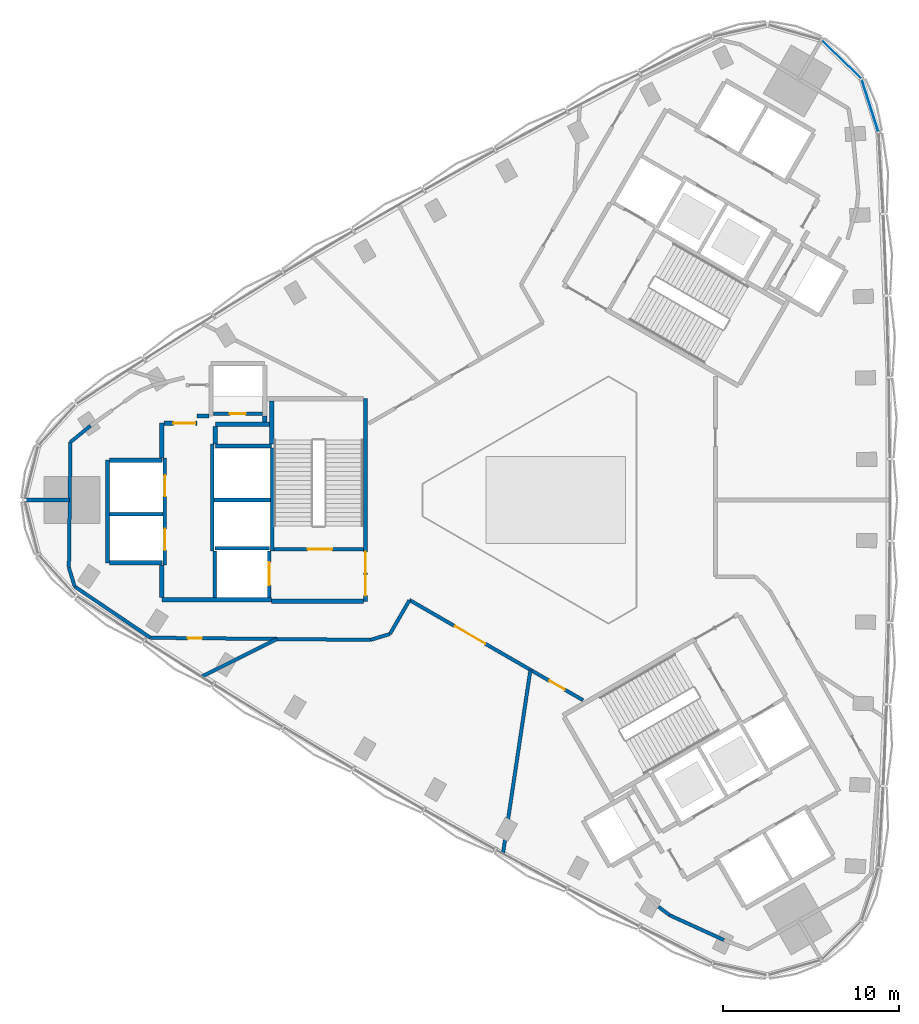
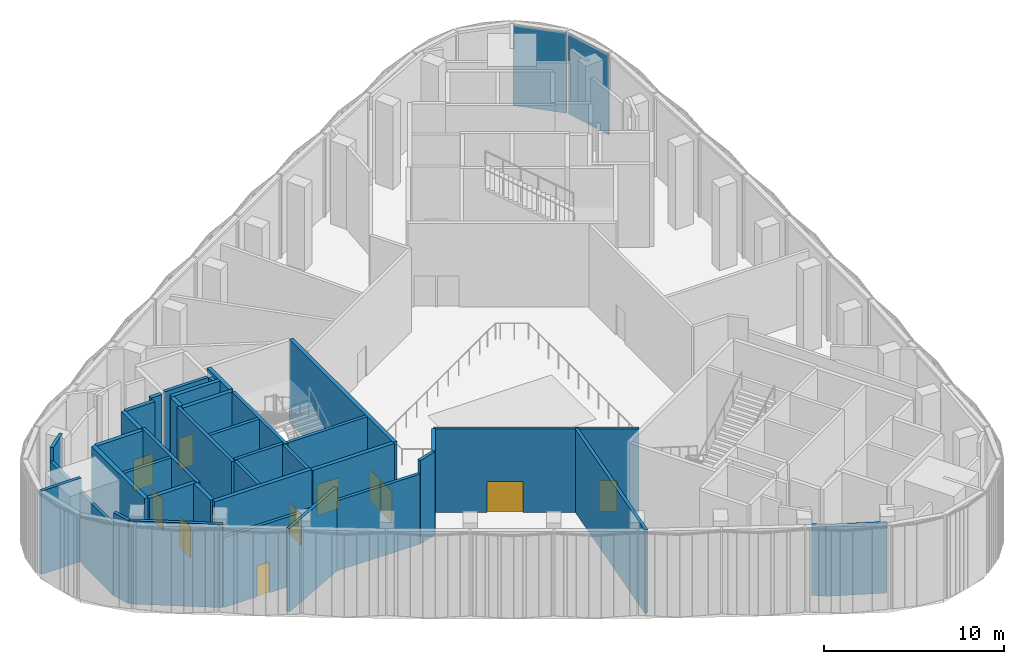
# One storey, part 5 of 14: 38 walls, 11 doors, 2 plates, 11 openings, 1 element without a shape of its own.
"""IFC4 building model written with IfcOpenShell, lengths in metres."""

import ifcopenshell
import ifcopenshell.guid

model = None  # the IFC model being written
_history = None  # IfcOwnerHistory: only IFC2X3 demands one
_inside = {}  # id of a spatial element -> (the spatial element, [elements in it])
_under = {}  # id of a project, library or spatial element -> (it, [spatial elements below it])
_declared = {}  # id of a project -> (the project, [libraries it declares])
_typed = {}  # id of a type object -> (the type object, [elements of that type])
_made_of = {}  # id of a material, layer set ... -> (it, [elements and type objects made of it])


def new_model(schema):
    """Start an empty IFC model of exactly this schema.

    Asked for "IFC4X3", IfcOpenShell would pick the latest addendum, in which some entities
    have other attributes; the version numbers below select the first issue.
    IFC2X3 requires an IfcOwnerHistory on every rooted entity: one is made here for all.
    """
    global model, _history
    if schema == "IFC4X3":
        model = ifcopenshell.file(schema_version=(4, 3, 0, 0))
    else:
        model = ifcopenshell.file(schema=schema)
    _inside.clear()
    _under.clear()
    _declared.clear()
    _typed.clear()
    _made_of.clear()
    _history = None
    if model.schema == "IFC2X3":
        org = make("IfcOrganization", Name="unknown")
        user = make(
            "IfcPersonAndOrganization",
            ThePerson=make("IfcPerson", FamilyName="unknown"),
            TheOrganization=org,
        )
        app = make(
            "IfcApplication",
            ApplicationDeveloper=org,
            Version="unknown",
            ApplicationFullName="unknown",
            ApplicationIdentifier="unknown",
        )
        _history = make(
            "IfcOwnerHistory",
            OwningUser=user,
            OwningApplication=app,
            ChangeAction="ADDED",
            CreationDate=0,
        )
    return model


def make(cls, **values):
    """One entity of the class cls with the attributes given. An attribute that is None is left unset."""
    return model.create_entity(
        cls, **{name: value for name, value in values.items() if value is not None}
    )


def rooted(cls, **values):
    """An entity with a GlobalId (a new one), such as an element, a storey or a relation."""
    return make(cls, GlobalId=ifcopenshell.guid.new(), OwnerHistory=_history, **values)


def si_unit(unit_type, name, prefix=None):
    """IfcSIUnit, for example si_unit("LENGTHUNIT", "METRE", prefix="MILLI")."""
    return make("IfcSIUnit", UnitType=unit_type, Prefix=prefix, Name=name)


def assignment(units):
    """IfcUnitAssignment: the units of a project."""
    return None if units is None else make("IfcUnitAssignment", Units=units)


def point(xyz):
    """IfcCartesianPoint."""
    return None if xyz is None else make("IfcCartesianPoint", Coordinates=xyz)


def direction(xyz):
    """IfcDirection."""
    return None if xyz is None else make("IfcDirection", DirectionRatios=xyz)


def frame(location, z_axis=None, x_axis=None):
    """IfcAxis2Placement3D, a coordinate frame: its origin and axes. An axis left out is left unset."""
    return make(
        "IfcAxis2Placement3D",
        Location=point(location),
        Axis=direction(z_axis),
        RefDirection=direction(x_axis),
    )


def frame_2d(location, x_axis=None):
    """IfcAxis2Placement2D, a coordinate frame in the plane: its origin and x axis."""
    return make(
        "IfcAxis2Placement2D", Location=point(location), RefDirection=direction(x_axis)
    )


def origin():
    """The frame at (0, 0, 0) with its axes left unset."""
    return frame((0.0, 0.0, 0.0))


def origin_2d():
    """The frame at (0, 0) in the plane with its x axis left unset."""
    return frame_2d((0.0, 0.0))


def place(relative_to, where):
    """IfcLocalPlacement: puts the frame where relative to a parent placement (None: the world)."""
    return make(
        "IfcLocalPlacement", PlacementRelTo=relative_to, RelativePlacement=where
    )


def context(
    kind, dimensions, precision=None, world=None, true_north=None, identifier=None
):
    """IfcGeometricRepresentationContext, for example the 3D "Model" context."""
    return make(
        "IfcGeometricRepresentationContext",
        ContextIdentifier=identifier,
        ContextType=kind,
        CoordinateSpaceDimension=dimensions,
        Precision=precision,
        WorldCoordinateSystem=world,
        TrueNorth=true_north,
    )


def subcontext(parent, identifier, kind, view, scale=None):
    """IfcGeometricRepresentationSubContext, for example "Body" below "Model"."""
    return make(
        "IfcGeometricRepresentationSubContext",
        ContextIdentifier=identifier,
        ContextType=kind,
        ParentContext=parent,
        TargetScale=scale,
        TargetView=view,
    )


def project(units=None, contexts=None):
    """IfcProject with its units and contexts."""
    return rooted(
        "IfcProject",
        Name="project",
        RepresentationContexts=contexts,
        UnitsInContext=assignment(units),
    )


def spatial(cls, under=None, at=None, **own):
    """A site, building, storey or space (cls), placed at a placement, below another one or the project."""
    s = rooted(cls, ObjectPlacement=at, **own)
    if under is not None:
        _under.setdefault(under.id(), (under, []))[1].append(s)
    return s


def profile(cls, at=None, kind="AREA", **sizes):
    """A parametric profile (cls). Its sizes go by their IFC names, for example OverallWidth=200.0."""
    return make(cls, ProfileType=kind, Position=at, **sizes)


def rectangle(**sizes):
    """IfcRectangleProfileDef."""
    return profile("IfcRectangleProfileDef", **sizes)


def extrude(swept, where, along, depth):
    """IfcExtrudedAreaSolid: the profile swept, set in the frame where, extruded along a direction by depth."""
    return make(
        "IfcExtrudedAreaSolid",
        SweptArea=swept,
        Position=where,
        ExtrudedDirection=direction(along),
        Depth=depth,
    )


def shape(context_of_items, identifier, shape_type, items):
    """IfcShapeRepresentation: the items that make up one representation, for example the "Body"."""
    return make(
        "IfcShapeRepresentation",
        ContextOfItems=context_of_items,
        RepresentationIdentifier=identifier,
        RepresentationType=shape_type,
        Items=items,
    )


def material(Name=None, Category=None):
    """IfcMaterial."""
    return make("IfcMaterial", Name=Name, Category=Category)


def layer(
    of_material, thickness, ventilated=None, Name=None, Category=None, Priority=None
):
    """IfcMaterialLayer: one layer of a wall or slab, of a material (None: an air gap)."""
    return make(
        "IfcMaterialLayer",
        Material=of_material,
        LayerThickness=thickness,
        IsVentilated=ventilated,
        Name=Name,
        Category=Category,
        Priority=Priority,
    )


def layer_set(layers, Name=None):
    """IfcMaterialLayerSet."""
    return make("IfcMaterialLayerSet", MaterialLayers=layers, LayerSetName=Name)


def made_of(thing, what):
    """Note that an element or type object is made of a material, layer set ...; save() writes the relation."""
    if what is not None:
        _made_of.setdefault(what.id(), (what, []))[1].append(thing)
    return thing


def type_object(cls, material=None, **own):
    """A type object (cls), such as IfcWallType, which elements share."""
    return made_of(rooted(cls, **own), material)


def element(
    cls,
    number,
    at=None,
    inside=None,
    cuts=None,
    type_object=None,
    material=None,
    context=None,
    identifier="Body",
    shape_type=None,
    held_by="IfcProductDefinitionShape",
    body=None,
    shapes=None,
    **own,
):
    """One element of the class cls, such as IfcWall. Its Tag is "e" and its number.

    at: its placement. inside: the storey or other place that contains it. cuts: it is an
    opening in that element (IfcRelVoidsElement). A single representation is given by context,
    identifier, shape_type and body (its items); several are given by shapes. held_by: the class
    of the entity that holds the representations. save() writes the other relations.
    """
    e = rooted(cls, Tag="e%d" % number, ObjectPlacement=at, **own)
    if body is not None:
        shapes = [shape(context, identifier, shape_type, body)]
    if shapes is not None:
        e.Representation = make(held_by, Representations=shapes)
    if inside is not None:
        _inside.setdefault(inside.id(), (inside, []))[1].append(e)
    if cuts is not None:
        rooted(
            "IfcRelVoidsElement", RelatingBuildingElement=cuts, RelatedOpeningElement=e
        )
    if type_object is not None:
        _typed.setdefault(type_object.id(), (type_object, []))[1].append(e)
    return made_of(e, material)


def fill(opening, filler):
    """IfcRelFillsElement: the door or window that sits in an opening."""
    return rooted(
        "IfcRelFillsElement",
        RelatingOpeningElement=opening,
        RelatedBuildingElement=filler,
    )


def aggregate(whole, parts):
    """IfcRelAggregates: a whole, such as a stair, and the parts it consists of."""
    return rooted("IfcRelAggregates", RelatingObject=whole, RelatedObjects=parts)


def save(model, path):
    """Write the relations noted so far, then the file.

    IfcRelAggregates (storeys below a building ...), IfcRelContainedInSpatialStructure (elements
    in a storey), IfcRelDefinesByType, IfcRelAssociatesMaterial and IfcRelDeclares: one each for
    every whole, place, type object, material and project.
    """
    for whole, parts in _under.values():
        aggregate(whole, parts)
    for where, things in _inside.values():
        rooted(
            "IfcRelContainedInSpatialStructure",
            RelatedElements=things,
            RelatingStructure=where,
        )
    for kind, things in _typed.values():
        rooted("IfcRelDefinesByType", RelatedObjects=things, RelatingType=kind)
    for what, things in _made_of.values():
        rooted("IfcRelAssociatesMaterial", RelatedObjects=things, RelatingMaterial=what)
    for by, libraries in _declared.values():
        rooted("IfcRelDeclares", RelatingContext=by, RelatedDefinitions=libraries)
    model.write(path)


model = new_model("IFC4")

# Units and contexts
model_context = context("Model", 3, precision=1e-05, world=origin(), true_north=direction((0.0, 1.0)))
body_context = subcontext(model_context, "Body", "Model", "MODEL_VIEW")
ifc_project = project(units=[si_unit("LENGTHUNIT", "METRE"), si_unit("AREAUNIT", "SQUARE_METRE"), si_unit("VOLUMEUNIT", "CUBIC_METRE"), si_unit("PLANEANGLEUNIT", "RADIAN"), si_unit("MASSUNIT", "GRAM", prefix="KILO")], contexts=[model_context])

# Site, building, storey
site_placement = place(None, origin())
site = spatial("IfcSite", under=ifc_project, at=site_placement, CompositionType="ELEMENT")
building_placement = place(site_placement, origin())
building = spatial("IfcBuilding", under=site, at=building_placement, Name="Tamra Quay Hotel Tower", CompositionType="ELEMENT")
storey_placement = place(building_placement, frame((0.0, 0.0, 169.60009765625)))
storey = spatial("IfcBuildingStorey", under=building, at=storey_placement, Name="L42", CompositionType="ELEMENT", Elevation=169.60009765625)

# Curtain wall, plates
ifc_material_1 = material(Name="Aluminium 6063 anodised dark grey", Category="aluminium")
curtain_wall_type = type_object("IfcCurtainWallType", Name="CW5 CURTAIN WALL", PredefinedType="NOTDEFINED", material=ifc_material_1)
curtain_wall_placement = place(storey_placement, origin())
curtain_wall = element("IfcCurtainWall", 1, at=curtain_wall_placement, inside=storey, type_object=curtain_wall_type, Name="CW5 east face L42", PredefinedType="NOTDEFINED")
ifc_material_2 = material(Name="Glass clear laminated low-iron", Category="glass")
ifc_layer_1 = layer(ifc_material_2, 0.0400390625)
ifc_layer_set_1 = layer_set([ifc_layer_1], Name="GLASS PANEL CW5")
plate_type = type_object("IfcPlateType", Name="GLASS PANEL CW5", PredefinedType="CURTAIN_PANEL", material=ifc_layer_set_1)
plate_1_placement = place(storey_placement, frame((17.9072265625, 22.4599609375, 0.0), z_axis=(0.0, 0.0, 1.0), x_axis=(-0.303410479682, 0.952859948166, 0.0)))
plate_1 = element("IfcPlate", 2, at=plate_1_placement, type_object=plate_type, Name="CW5 glass L42.E.10", PredefinedType="CURTAIN_PANEL", context=body_context, shape_type="SweptSolid", body=[
    extrude(rectangle(XDim=3.07421875, YDim=0.0400390625, at=origin_2d()), origin(), (0.0, 0.0, 1.0), 5.469970703125),
])
plate_2_placement = place(storey_placement, frame((16.276123046875, 25.09326171875, 0.0), z_axis=(0.0, 0.0, 1.0), x_axis=(-0.717974699393, 0.696069199888, 0.0)))
plate_2 = element("IfcPlate", 3, at=plate_2_placement, type_object=plate_type, Name="CW5 glass L42.E.11", PredefinedType="CURTAIN_PANEL", context=body_context, shape_type="SweptSolid", body=[
    extrude(rectangle(XDim=3.07421875, YDim=0.0400390625, at=origin_2d()), origin(), (0.0, 0.0, 1.0), 5.469970703125),
])
aggregate(curtain_wall, [plate_1, plate_2])

# Walls
ifc_material_3 = material(Name="Concrete M70", Category="concrete")
ifc_layer_2 = layer(ifc_material_3, 0.199951171875)
ifc_layer_set_2 = layer_set([ifc_layer_2], Name="Concrete M70 core wall 200")
wall_type_1 = type_object("IfcWallType", Name="Concrete M70 core wall 200", PredefinedType="SHEAR", material=ifc_layer_set_2)
wall_1_placement = place(storey_placement, frame((-16.162109375, 2.95068359375, 0.0), z_axis=(0.0, 0.0, 1.0), x_axis=(0.0, -1.0, 0.0)))
element("IfcWall", 4, at=wall_1_placement, inside=storey, type_object=wall_type_1, Name="CW2", PredefinedType="SHEAR", context=body_context, shape_type="SweptSolid", body=[
    extrude(rectangle(XDim=5.850830078125, YDim=0.199951171875, at=frame_2d((2.92529296875, 0.0))), origin(), (0.0, 0.0, 1.0), 5.64990234375),
])
wall_2_placement = place(storey_placement, frame((-19.5625, -2.900146484375, 0.0), z_axis=(0.0, 0.0, 1.0), x_axis=(0.0, 1.0, 0.0)))
element("IfcWall", 5, at=wall_2_placement, inside=storey, type_object=wall_type_1, Name="CW2", PredefinedType="SHEAR", context=body_context, shape_type="SweptSolid", body=[
    extrude(rectangle(XDim=6.100341796875, YDim=0.199951171875, at=frame_2d((3.05029296875, 0.0))), origin(), (0.0, 0.0, 1.0), 5.64990234375),
])

# Wall, openings, doors
wall_3_placement = place(storey_placement, frame((-22.26220703125, 2.400146484375, 0.0), z_axis=(0.0, 0.0, 1.0), x_axis=(0.0, -1.0, 0.0)))
wall_3 = element("IfcWall", 6, at=wall_3_placement, inside=storey, type_object=wall_type_1, Name="CW2", PredefinedType="SHEAR", context=body_context, shape_type="SweptSolid", body=[
    extrude(rectangle(XDim=6.100341796875, YDim=0.199951171875, at=frame_2d((3.05029296875, 0.0))), origin(), (0.0, 0.0, 1.0), 5.64990234375),
])
opening_1_placement = place(wall_3_placement, frame((1.0, 0.0, 0.0)))
opening_1 = element("IfcOpeningElement", 7, at=opening_1_placement, cuts=wall_3, Name="Opening LD", PredefinedType="OPENING", context=body_context, shape_type="SweptSolid", body=[
    extrude(rectangle(XDim=1.199951171875, YDim=2.10009765625, at=frame_2d((0.60009765625, 1.050048828125))), frame((0.0, 0.10986328125, 0.0), z_axis=(0.0, -1.0, 0.0), x_axis=(1.0, 0.0, 0.0)), (0.0, 0.0, 1.0), 0.219970703125),
])
opening_2_placement = place(wall_3_placement, frame((4.05029296875, 0.0, 0.0)))
opening_2 = element("IfcOpeningElement", 8, at=opening_2_placement, cuts=wall_3, Name="Opening LD", PredefinedType="OPENING", context=body_context, shape_type="SweptSolid", body=[
    extrude(rectangle(XDim=1.199951171875, YDim=2.10009765625, at=frame_2d((0.60009765625, 1.050048828125))), frame((0.0, 0.10986328125, 0.0), z_axis=(0.0, -1.0, 0.0), x_axis=(1.0, 0.0, 0.0)), (0.0, 0.0, 1.0), 0.219970703125),
])
ifc_material_4 = material(Name="Landing door LD 1200 double door sliding")
door_type_1 = type_object("IfcDoorType", Name="Landing door LD 1200 double door sliding", OperationType="DOUBLE_DOOR_SLIDING", PredefinedType="DOOR", material=ifc_material_4)
door_1_placement = place(opening_1_placement, origin())
door_1 = element("IfcDoor", 9, at=door_1_placement, inside=storey, type_object=door_type_1, Name="LD", OperationType="DOUBLE_DOOR_SLIDING", OverallHeight=2.10009765625, OverallWidth=1.199951171875, PredefinedType="DOOR", context=body_context, shape_type="SweptSolid", body=[
    extrude(rectangle(XDim=1.199951171875, YDim=2.10009765625, at=frame_2d((0.60009765625, 1.050048828125))), frame((0.0, 0.02490234375, 0.0), z_axis=(0.0, -1.0, 0.0), x_axis=(1.0, 0.0, 0.0)), (0.0, 0.0, 1.0), 0.050048828125),
])
fill(opening_1, door_1)
door_2_placement = place(opening_2_placement, origin())
door_2 = element("IfcDoor", 10, at=door_2_placement, inside=storey, type_object=door_type_1, Name="LD", OperationType="DOUBLE_DOOR_SLIDING", OverallHeight=2.10009765625, OverallWidth=1.199951171875, PredefinedType="DOOR", context=body_context, shape_type="SweptSolid", body=[
    extrude(rectangle(XDim=1.199951171875, YDim=2.10009765625, at=frame_2d((0.60009765625, 1.050048828125))), frame((0.0, 0.02490234375, 0.0), z_axis=(0.0, -1.0, 0.0), x_axis=(1.0, 0.0, 0.0)), (0.0, 0.0, 1.0), 0.050048828125),
])
fill(opening_2, door_2)

# Wall, opening, door
wall_4_placement = place(storey_placement, frame((-10.96337890625, -2.800048828125, 0.0), z_axis=(0.0, 0.0, 1.0), x_axis=(-1.0, 0.0, 0.0)))
wall_4 = element("IfcWall", 11, at=wall_4_placement, inside=storey, type_object=wall_type_1, Name="CW2", PredefinedType="SHEAR", context=body_context, shape_type="SweptSolid", body=[
    extrude(rectangle(XDim=5.097900390625, YDim=0.199951171875, at=frame_2d((2.548828125, 0.0))), origin(), (0.0, 0.0, 1.0), 5.64990234375),
])
opening_3_placement = place(wall_4_placement, frame((1.77392578125, 0.0, 0.0)))
opening_3 = element("IfcOpeningElement", 12, at=opening_3_placement, cuts=wall_4, Name="Opening FD2", PredefinedType="OPENING", context=body_context, shape_type="SweptSolid", body=[
    extrude(rectangle(XDim=1.39990234375, YDim=2.10009765625, at=frame_2d((0.699951171875, 1.050048828125))), frame((0.0, 0.10986328125, 0.0), z_axis=(0.0, -1.0, 0.0), x_axis=(1.0, 0.0, 0.0)), (0.0, 0.0, 1.0), 0.219970703125),
])
ifc_material_5 = material(Name="Core door FD2 1400x2100 LH")
door_type_2 = type_object("IfcDoorType", Name="Core door FD2 1400x2100 LH", OperationType="NOTDEFINED", PredefinedType="DOOR", material=ifc_material_5)
door_3_placement = place(opening_3_placement, origin())
door_3 = element("IfcDoor", 13, at=door_3_placement, inside=storey, type_object=door_type_2, Name="FD2", OperationType="SINGLE_SWING_LEFT", OverallHeight=2.10009765625, OverallWidth=1.39990234375, PredefinedType="DOOR", context=body_context, shape_type="SweptSolid", body=[
    extrude(rectangle(XDim=1.39990234375, YDim=2.10009765625, at=frame_2d((0.699951171875, 1.050048828125))), frame((0.0, 0.02490234375, 0.0), z_axis=(0.0, -1.0, 0.0), x_axis=(1.0, 0.0, 0.0)), (0.0, 0.0, 1.0), 0.050048828125),
])
fill(opening_3, door_3)

# Walls
wall_5_placement = place(storey_placement, frame((-16.26318359375, 0.0, 0.0), z_axis=(0.0, 0.0, 1.0), x_axis=(-1.0, 0.0, 0.0)))
element("IfcWall", 14, at=wall_5_placement, inside=storey, type_object=wall_type_1, Name="CW2", PredefinedType="SHEAR", context=body_context, shape_type="SweptSolid", body=[
    extrude(rectangle(XDim=3.1982421875, YDim=0.199951171875, at=frame_2d((1.59912109375, 0.0))), origin(), (0.0, 0.0, 1.0), 5.64990234375),
])
wall_6_placement = place(storey_placement, frame((-22.36328125, -0.800048828125, 0.0), z_axis=(0.0, 0.0, 1.0), x_axis=(-1.0, 0.0, 0.0)))
element("IfcWall", 15, at=wall_6_placement, inside=storey, type_object=wall_type_1, Name="CW2", PredefinedType="SHEAR", context=body_context, shape_type="SweptSolid", body=[
    extrude(rectangle(XDim=3.048095703125, YDim=0.199951171875, at=frame_2d((1.52392578125, 0.0))), origin(), (0.0, 0.0, 1.0), 5.64990234375),
])

# Wall, opening, door
wall_7_placement = place(storey_placement, frame((-19.51123046875, 4.91015625, 0.0), z_axis=(0.0, 0.0, 1.0), x_axis=(1.0, 0.0, 0.0)))
wall_7 = element("IfcWall", 16, at=wall_7_placement, inside=storey, type_object=wall_type_1, Name="CW2", PredefinedType="SHEAR", context=body_context, shape_type="SweptSolid", body=[
    extrude(rectangle(XDim=2.7978515625, YDim=0.199951171875, at=frame_2d((1.39892578125, 0.0))), origin(), (0.0, 0.0, 1.0), 5.64990234375),
])
opening_4_placement = place(wall_7_placement, frame((0.948974609375, 0.0, 0.0)))
opening_4 = element("IfcOpeningElement", 17, at=opening_4_placement, cuts=wall_7, Name="Opening D1", PredefinedType="OPENING", context=body_context, shape_type="SweptSolid", body=[
    extrude(rectangle(XDim=0.89990234375, YDim=2.10009765625, at=frame_2d((0.449951171875, 1.050048828125))), frame((0.0, 0.10986328125, 0.0), z_axis=(0.0, -1.0, 0.0), x_axis=(1.0, 0.0, 0.0)), (0.0, 0.0, 1.0), 0.219970703125),
])
ifc_material_6 = material(Name="Core door D1 900x2100 RH")
door_type_3 = type_object("IfcDoorType", Name="Core door D1 900x2100 RH", OperationType="NOTDEFINED", PredefinedType="DOOR", material=ifc_material_6)
door_4_placement = place(opening_4_placement, origin())
door_4 = element("IfcDoor", 18, at=door_4_placement, inside=storey, type_object=door_type_3, Name="D1", OperationType="SINGLE_SWING_RIGHT", OverallHeight=2.10009765625, OverallWidth=0.89990234375, PredefinedType="DOOR", context=body_context, shape_type="SweptSolid", body=[
    extrude(rectangle(XDim=0.89990234375, YDim=2.10009765625, at=frame_2d((0.449951171875, 1.050048828125))), frame((0.0, 0.02490234375, 0.0), z_axis=(0.0, -1.0, 0.0), x_axis=(1.0, 0.0, 0.0)), (0.0, 0.0, 1.0), 0.050048828125),
])
fill(opening_4, door_4)

# Wall
wall_8_placement = place(storey_placement, frame((-19.412353515625, -2.75, 0.0), z_axis=(0.0, 0.0, 1.0), x_axis=(1.0, 0.0, 0.0)))
element("IfcWall", 19, at=wall_8_placement, inside=storey, type_object=wall_type_1, Name="CW2", PredefinedType="SHEAR", context=body_context, shape_type="SweptSolid", body=[
    extrude(rectangle(XDim=3.10009765625, YDim=0.199951171875, at=frame_2d((1.550048828125, 0.0))), origin(), (0.0, 0.0, 1.0), 5.64990234375),
])

# Wall, opening, door
wall_9_placement = place(storey_placement, frame((-16.312255859375, -2.898193359375, 0.0), z_axis=(0.0, 0.0, 1.0), x_axis=(0.0, -1.0, 0.0)))
wall_9 = element("IfcWall", 20, at=wall_9_placement, inside=storey, type_object=wall_type_1, Name="CW2", PredefinedType="SHEAR", context=body_context, shape_type="SweptSolid", body=[
    extrude(rectangle(XDim=2.65087890625, YDim=0.199951171875, at=frame_2d((1.325439453125, 0.0))), origin(), (0.0, 0.0, 1.0), 5.64990234375),
])
opening_5_placement = place(wall_9_placement, frame((0.65185546875, 0.0, 0.0)))
opening_5 = element("IfcOpeningElement", 21, at=opening_5_placement, cuts=wall_9, Name="Opening LD", PredefinedType="OPENING", context=body_context, shape_type="SweptSolid", body=[
    extrude(rectangle(XDim=1.300048828125, YDim=2.10009765625, at=frame_2d((0.64990234375, 1.050048828125))), frame((0.0, 0.10986328125, 0.0), z_axis=(0.0, -1.0, 0.0), x_axis=(1.0, 0.0, 0.0)), (0.0, 0.0, 1.0), 0.219970703125),
])
ifc_material_7 = material(Name="Landing door LD 1300 sliding to left")
door_type_4 = type_object("IfcDoorType", Name="Landing door LD 1300 sliding to left", OperationType="NOTDEFINED", PredefinedType="DOOR", material=ifc_material_7)
door_5_placement = place(opening_5_placement, origin())
door_5 = element("IfcDoor", 22, at=door_5_placement, inside=storey, type_object=door_type_4, Name="LD", OperationType="SLIDING_TO_LEFT", OverallHeight=2.10009765625, OverallWidth=1.300048828125, PredefinedType="DOOR", context=body_context, shape_type="SweptSolid", body=[
    extrude(rectangle(XDim=1.300048828125, YDim=2.10009765625, at=frame_2d((0.64990234375, 1.050048828125))), frame((0.0, 0.02490234375, 0.0), z_axis=(0.0, -1.0, 0.0), x_axis=(1.0, 0.0, 0.0)), (0.0, 0.0, 1.0), 0.050048828125),
])
fill(opening_5, door_5)

# Wall
wall_10_placement = place(storey_placement, frame((-19.412353515625, -5.549072265625, 0.0), z_axis=(0.0, 0.0, 1.0), x_axis=(0.0, 1.0, 0.0)))
element("IfcWall", 23, at=wall_10_placement, inside=storey, type_object=wall_type_1, Name="CW2", PredefinedType="SHEAR", context=body_context, shape_type="SweptSolid", body=[
    extrude(rectangle(XDim=2.65087890625, YDim=0.199951171875, at=frame_2d((1.325439453125, 0.0))), origin(), (0.0, 0.0, 1.0), 5.64990234375),
])

# Wall, openings, doors
ifc_layer_3 = layer(ifc_material_3, 0.25)
ifc_layer_set_3 = layer_set([ifc_layer_3], Name="Concrete M70 core wall 250")
wall_type_2 = type_object("IfcWallType", Name="Concrete M70 core wall 250", PredefinedType="SHEAR", material=ifc_layer_set_3)
wall_11_placement = place(storey_placement, frame((-10.83740234375, 5.77490234375, 0.0), z_axis=(0.0, 0.0, 1.0), x_axis=(0.0, -1.0, 0.0)))
wall_11 = element("IfcWall", 24, at=wall_11_placement, inside=storey, type_object=wall_type_2, Name="CW1", PredefinedType="SHEAR", context=body_context, shape_type="SweptSolid", body=[
    extrude(rectangle(XDim=11.5498046875, YDim=0.25, at=frame_2d((5.77490234375, 0.0))), origin(), (0.0, 0.0, 1.0), 5.64990234375),
])
opening_6_placement = place(wall_11_placement, frame((10.02490234375, 0.0, 0.0)))
opening_6 = element("IfcOpeningElement", 25, at=opening_6_placement, cuts=wall_11, Name="Opening FD1", PredefinedType="OPENING", context=body_context, shape_type="SweptSolid", body=[
    extrude(rectangle(XDim=1.199951171875, YDim=2.10009765625, at=frame_2d((0.60009765625, 1.050048828125))), frame((0.0, 0.135009765625, 0.0), z_axis=(0.0, -1.0, 0.0), x_axis=(1.0, 0.0, 0.0)), (0.0, 0.0, 1.0), 0.27001953125),
])
opening_7_placement = place(wall_11_placement, frame((8.72509765625, 0.0, 0.0)))
opening_7 = element("IfcOpeningElement", 26, at=opening_7_placement, cuts=wall_11, Name="Opening FD1", PredefinedType="OPENING", context=body_context, shape_type="SweptSolid", body=[
    extrude(rectangle(XDim=1.199951171875, YDim=2.10009765625, at=frame_2d((0.60009765625, 1.050048828125))), frame((0.0, 0.135009765625, 0.0), z_axis=(0.0, -1.0, 0.0), x_axis=(1.0, 0.0, 0.0)), (0.0, 0.0, 1.0), 0.27001953125),
])
ifc_material_8 = material(Name="Core door FD1 1200x2100 LH")
door_type_5 = type_object("IfcDoorType", Name="Core door FD1 1200x2100 LH", OperationType="NOTDEFINED", PredefinedType="DOOR", material=ifc_material_8)
door_6_placement = place(opening_6_placement, origin())
door_6 = element("IfcDoor", 27, at=door_6_placement, inside=storey, type_object=door_type_5, Name="FD1", OperationType="SINGLE_SWING_LEFT", OverallHeight=2.10009765625, OverallWidth=1.199951171875, PredefinedType="DOOR", context=body_context, shape_type="SweptSolid", body=[
    extrude(rectangle(XDim=1.199951171875, YDim=2.10009765625, at=frame_2d((0.60009765625, 1.050048828125))), frame((0.0, 0.02490234375, 0.0), z_axis=(0.0, -1.0, 0.0), x_axis=(1.0, 0.0, 0.0)), (0.0, 0.0, 1.0), 0.050048828125),
])
fill(opening_6, door_6)
ifc_material_9 = material(Name="Core door FD1 1200x2100 RH")
door_type_6 = type_object("IfcDoorType", Name="Core door FD1 1200x2100 RH", OperationType="NOTDEFINED", PredefinedType="DOOR", material=ifc_material_9)
door_7_placement = place(opening_7_placement, origin())
door_7 = element("IfcDoor", 28, at=door_7_placement, inside=storey, type_object=door_type_6, Name="FD1", OperationType="SINGLE_SWING_RIGHT", OverallHeight=2.10009765625, OverallWidth=1.199951171875, PredefinedType="DOOR", context=body_context, shape_type="SweptSolid", body=[
    extrude(rectangle(XDim=1.199951171875, YDim=2.10009765625, at=frame_2d((0.60009765625, 1.050048828125))), frame((0.0, 0.02490234375, 0.0), z_axis=(0.0, -1.0, 0.0), x_axis=(1.0, 0.0, 0.0)), (0.0, 0.0, 1.0), 0.050048828125),
])
fill(opening_7, door_7)

# Walls
wall_12_placement = place(storey_placement, frame((-16.187255859375, -5.675048828125, 0.0), z_axis=(0.0, 0.0, 1.0), x_axis=(-1.0, 0.0, 0.0)))
element("IfcWall", 29, at=wall_12_placement, inside=storey, type_object=wall_type_2, Name="CW1", PredefinedType="SHEAR", context=body_context, shape_type="SweptSolid", body=[
    extrude(rectangle(XDim=6.25, YDim=0.25, at=frame_2d((3.125, 0.0))), origin(), (0.0, 0.0, 1.0), 5.64990234375),
])
wall_13_placement = place(storey_placement, frame((-25.537353515625, -3.574951171875, 0.0), z_axis=(0.0, 0.0, 1.0), x_axis=(0.0, 1.0, 0.0)))
element("IfcWall", 30, at=wall_13_placement, inside=storey, type_object=wall_type_2, Name="CW1", PredefinedType="SHEAR", context=body_context, shape_type="SweptSolid", body=[
    extrude(rectangle(XDim=5.849853515625, YDim=0.25, at=frame_2d((2.9248046875, 0.0))), origin(), (0.0, 0.0, 1.0), 5.64990234375),
])
wall_14_placement = place(storey_placement, frame((-10.962646484375, -5.77490234375, 0.0), z_axis=(0.0, 0.0, 1.0), x_axis=(-1.0, 0.0, 0.0)))
element("IfcWall", 31, at=wall_14_placement, inside=storey, type_object=wall_type_2, Name="CW1", PredefinedType="SHEAR", context=body_context, shape_type="SweptSolid", body=[
    extrude(rectangle(XDim=5.224609375, YDim=0.25, at=frame_2d((2.6123046875, 0.0))), origin(), (0.0, 0.0, 1.0), 5.64990234375),
])
wall_15_placement = place(storey_placement, frame((-19.38720703125, 3.074951171875, 0.0), z_axis=(0.0, 0.0, 1.0), x_axis=(1.0, 0.0, 0.0)))
element("IfcWall", 32, at=wall_15_placement, inside=storey, type_object=wall_type_2, Name="CW1", PredefinedType="SHEAR", context=body_context, shape_type="SweptSolid", body=[
    extrude(rectangle(XDim=3.199951171875, YDim=0.25, at=frame_2d((1.60009765625, 0.0))), origin(), (0.0, 0.0, 1.0), 5.64990234375),
])
for number, where, z_axis, x_axis, name in (
    (33, (-22.437255859375, -3.574951171875, 0.0), (0.0, 0.0, 1.0), (-1.0, 0.0, 0.0), "CW1"),
    (34, (-25.411865234375, 2.27490234375, 0.0), (0.0, 0.0, 1.0), (1.0, 0.0, 0.0), "CW1"),
):
    element("IfcWall", number, at=place(storey_placement, frame(where, z_axis=z_axis, x_axis=x_axis)), inside=storey, type_object=wall_type_2, Name=name, PredefinedType="SHEAR", context=body_context, shape_type="SweptSolid", body=[
        extrude(rectangle(XDim=2.974609375, YDim=0.25, at=frame_2d((1.4873046875, 0.0))), origin(), (0.0, 0.0, 1.0), 5.64990234375),
    ])
wall_16_placement = place(storey_placement, frame((-16.30224609375, 4.31494140625, 0.0), z_axis=(0.0, 0.0, 1.0), x_axis=(-1.0, 0.0, 0.0)))
element("IfcWall", 35, at=wall_16_placement, inside=storey, type_object=wall_type_2, Name="CW1", PredefinedType="SHEAR", context=body_context, shape_type="SweptSolid", body=[
    extrude(rectangle(XDim=3.0849609375, YDim=0.25, at=frame_2d((1.54248046875, 0.0))), origin(), (0.0, 0.0, 1.0), 5.64990234375),
])
wall_17_placement = place(storey_placement, frame((-16.187255859375, 3.200439453125, 0.0), z_axis=(0.0, 0.0, 1.0), x_axis=(0.0, 1.0, 0.0)))
element("IfcWall", 36, at=wall_17_placement, inside=storey, type_object=wall_type_2, Name="CW1", PredefinedType="SHEAR", context=body_context, shape_type="SweptSolid", body=[
    extrude(rectangle(XDim=2.44921875, YDim=0.25, at=frame_2d((1.224609375, 0.0))), origin(), (0.0, 0.0, 1.0), 5.64990234375),
])
wall_18_placement = place(storey_placement, frame((-22.437255859375, 2.400390625, 0.0), z_axis=(0.0, 0.0, 1.0), x_axis=(0.0, 1.0, 0.0)))
element("IfcWall", 37, at=wall_18_placement, inside=storey, type_object=wall_type_2, Name="CW1", PredefinedType="SHEAR", context=body_context, shape_type="SweptSolid", body=[
    extrude(rectangle(XDim=1.974609375, YDim=0.25, at=frame_2d((0.9873046875, 0.0))), origin(), (0.0, 0.0, 1.0), 5.64990234375),
])
wall_19_placement = place(storey_placement, frame((-22.437255859375, -5.549560546875, 0.0), z_axis=(0.0, 0.0, 1.0), x_axis=(0.0, 1.0, 0.0)))
element("IfcWall", 38, at=wall_19_placement, inside=storey, type_object=wall_type_2, Name="CW1", PredefinedType="SHEAR", context=body_context, shape_type="SweptSolid", body=[
    extrude(rectangle(XDim=1.84912109375, YDim=0.25, at=frame_2d((0.924560546875, 0.0))), origin(), (0.0, 0.0, 1.0), 5.64990234375),
])

# Wall, opening, door
wall_20_placement = place(storey_placement, frame((-22.311767578125, 4.375, 0.0), z_axis=(0.0, 0.0, 1.0), x_axis=(1.0, 0.0, 0.0)))
wall_20 = element("IfcWall", 39, at=wall_20_placement, inside=storey, type_object=wall_type_2, Name="CW1", PredefinedType="SHEAR", context=body_context, shape_type="SweptSolid", body=[
    extrude(rectangle(XDim=1.864501953125, YDim=0.25, at=frame_2d((0.93212890625, 0.0))), origin(), (0.0, 0.0, 1.0), 5.64990234375),
])
opening_8_placement = place(wall_20_placement, frame((0.53466796875, 0.0, 0.0)))
opening_8 = element("IfcOpeningElement", 40, at=opening_8_placement, cuts=wall_20, Name="Opening FD3", PredefinedType="OPENING", context=body_context, shape_type="SweptSolid", body=[
    extrude(rectangle(XDim=1.25, YDim=2.10009765625, at=frame_2d((0.625, 1.050048828125))), frame((0.0, 0.135009765625, 0.0), z_axis=(0.0, -1.0, 0.0), x_axis=(1.0, 0.0, 0.0)), (0.0, 0.0, 1.0), 0.27001953125),
])
ifc_material_10 = material(Name="Core door FD3 1250x2100 LH")
door_type_7 = type_object("IfcDoorType", Name="Core door FD3 1250x2100 LH", OperationType="NOTDEFINED", PredefinedType="DOOR", material=ifc_material_10)
door_8_placement = place(opening_8_placement, origin())
door_8 = element("IfcDoor", 41, at=door_8_placement, inside=storey, type_object=door_type_7, Name="FD3", OperationType="SINGLE_SWING_LEFT", OverallHeight=2.10009765625, OverallWidth=1.25, PredefinedType="DOOR", context=body_context, shape_type="SweptSolid", body=[
    extrude(rectangle(XDim=1.25, YDim=2.10009765625, at=frame_2d((0.625, 1.050048828125))), frame((0.0, 0.02490234375, 0.0), z_axis=(0.0, -1.0, 0.0), x_axis=(1.0, 0.0, 0.0)), (0.0, 0.0, 1.0), 0.050048828125),
])
fill(opening_8, door_8)

# Walls
wall_21_placement = place(storey_placement, frame((-19.38720703125, 4.189697265625, 0.0), z_axis=(0.0, 0.0, 1.0), x_axis=(0.0, -1.0, 0.0)))
element("IfcWall", 42, at=wall_21_placement, inside=storey, type_object=wall_type_2, Name="CW1", PredefinedType="SHEAR", context=body_context, shape_type="SweptSolid", body=[
    extrude(rectangle(XDim=0.9892578125, YDim=0.25, at=frame_2d((0.49462890625, 0.0))), origin(), (0.0, 0.0, 1.0), 5.64990234375),
])
wall_22_placement = place(storey_placement, frame((-20.447265625, 4.784912109375, 0.0), z_axis=(0.0, 0.0, 1.0), x_axis=(1.0, 0.0, 0.0)))
element("IfcWall", 43, at=wall_22_placement, inside=storey, type_object=wall_type_2, Name="CW1", PredefinedType="SHEAR", context=body_context, shape_type="SweptSolid", body=[
    extrude(rectangle(XDim=0.6845703125, YDim=0.25, at=frame_2d((0.34228515625, 0.0))), origin(), (0.0, 0.0, 1.0), 5.64990234375),
])
wall_23_placement = place(storey_placement, frame((-16.577392578125, 4.784912109375, 0.0), z_axis=(0.0, 0.0, 1.0), x_axis=(0.0, -1.0, 0.0)))
element("IfcWall", 44, at=wall_23_placement, inside=storey, type_object=wall_type_2, Name="CW1", PredefinedType="SHEAR", context=body_context, shape_type="SweptSolid", body=[
    extrude(rectangle(XDim=0.344482421875, YDim=0.25, at=frame_2d((0.17236328125, 0.0))), origin(), (0.0, 0.0, 1.0), 5.64990234375),
])
ifc_material_11 = material(Name="Partition corridor wall")
ifc_layer_4 = layer(ifc_material_11, 0.199951171875)
ifc_layer_set_4 = layer_set([ifc_layer_4], Name="Partition corridor wall")
wall_type_3 = type_object("IfcWallType", Name="Partition corridor wall", PredefinedType="PARTITIONING", material=ifc_layer_set_4)
wall_24_placement = place(storey_placement, frame((-27.73388671875, -3.85302734375, 0.0), z_axis=(0.0, 0.0, 1.0), x_axis=(0.291681664309, -0.956515450323, 0.0)))
element("IfcWall", 45, at=wall_24_placement, inside=storey, type_object=wall_type_3, Name="W-C", PredefinedType="PARTITIONING", context=body_context, shape_type="SweptSolid", body=[
    extrude(rectangle(XDim=1.120849609375, YDim=0.199951171875, at=frame_2d((0.560546875, 0.0))), origin(), (0.0, 0.0, 1.0), 5.64990234375),
])
wall_25_placement = place(storey_placement, frame((-27.7333984375, -3.85009765625, 0.0), z_axis=(0.0, 0.0, 1.0), x_axis=(0.011828232316, 0.999930044013, 0.0)))
element("IfcWall", 46, at=wall_25_placement, inside=storey, type_object=wall_type_3, Name="W-C", PredefinedType="PARTITIONING", context=body_context, shape_type="SweptSolid", body=[
    extrude(rectangle(XDim=7.1416015625, YDim=0.199951171875, at=frame_2d((3.57080078125, 0.0))), origin(), (0.0, 0.0, 1.0), 4.75),
])
wall_26_placement = place(storey_placement, frame((-27.64599609375, 3.294921875, 0.0), z_axis=(0.0, 0.0, 1.0), x_axis=(0.773112716348, 0.634268655871, 0.0)))
element("IfcWall", 47, at=wall_26_placement, inside=storey, type_object=wall_type_3, Name="W-C", PredefinedType="PARTITIONING", context=body_context, shape_type="SweptSolid", body=[
    extrude(rectangle(XDim=1.482421875, YDim=0.199951171875, at=frame_2d((0.7412109375, 0.0))), origin(), (0.0, 0.0, 1.0), 5.64990234375),
])
wall_27_placement = place(storey_placement, frame((-27.404052734375, -4.930908203125, 0.0), z_axis=(0.0, 0.0, 1.0), x_axis=(0.828616586727, -0.559816534412, 0.0)))
element("IfcWall", 48, at=wall_27_placement, inside=storey, type_object=wall_type_3, Name="W-C", PredefinedType="PARTITIONING", context=body_context, shape_type="SweptSolid", body=[
    extrude(rectangle(XDim=5.208984375, YDim=0.199951171875, at=frame_2d((2.6044921875, 0.0))), origin(), (0.0, 0.0, 1.0), 5.64990234375),
])

# Wall, opening, door
wall_28_placement = place(storey_placement, frame((-23.087890625, -7.846923828125, 0.0), z_axis=(0.0, 0.0, 1.0), x_axis=(0.999950210109, -0.009978842778, 0.0)))
wall_28 = element("IfcWall", 49, at=wall_28_placement, inside=storey, type_object=wall_type_3, Name="W-C", PredefinedType="PARTITIONING", context=body_context, shape_type="SweptSolid", body=[
    extrude(rectangle(XDim=12.526611328125, YDim=0.199951171875, at=frame_2d((6.26318359375, 0.0))), origin(), (0.0, 0.0, 1.0), 4.75),
])
opening_9_placement = place(wall_28_placement, frame((2.127197265625, 0.0, 0.0)))
opening_9 = element("IfcOpeningElement", 50, at=opening_9_placement, cuts=wall_28, Name="Opening L42-D008", PredefinedType="OPENING", context=body_context, shape_type="SweptSolid", body=[
    extrude(rectangle(XDim=0.800048828125, YDim=2.10009765625, at=frame_2d((0.39990234375, 1.050048828125))), frame((0.0, 0.10986328125, 0.0), z_axis=(0.0, -1.0, 0.0), x_axis=(1.0, 0.0, 0.0)), (0.0, 0.0, 1.0), 0.219970703125),
])
ifc_material_12 = material(Name="Door service room 800x2100")
door_type_8 = type_object("IfcDoorType", Name="Door service room 800x2100", OperationType="NOTDEFINED", PredefinedType="DOOR", material=ifc_material_12)
door_9_placement = place(opening_9_placement, origin())
door_9 = element("IfcDoor", 51, at=door_9_placement, inside=storey, type_object=door_type_8, Name="L42-D008", OperationType="SINGLE_SWING_LEFT", OverallHeight=2.10009765625, OverallWidth=0.800048828125, PredefinedType="DOOR", context=body_context, shape_type="SweptSolid", body=[
    extrude(rectangle(XDim=0.800048828125, YDim=2.10009765625, at=frame_2d((0.39990234375, 1.050048828125))), frame((0.0, 0.02490234375, 0.0), z_axis=(0.0, -1.0, 0.0), x_axis=(1.0, 0.0, 0.0)), (0.0, 0.0, 1.0), 0.050048828125),
])
fill(opening_9, door_9)

# Walls
wall_29_placement = place(storey_placement, frame((-10.55908203125, -7.971923828125, 0.0), z_axis=(0.0, 0.0, 1.0), x_axis=(0.956340161393, 0.29225587369, 0.0)))
element("IfcWall", 52, at=wall_29_placement, inside=storey, type_object=wall_type_3, Name="W-C", PredefinedType="PARTITIONING", context=body_context, shape_type="SweptSolid", body=[
    extrude(rectangle(XDim=1.162841796875, YDim=0.199951171875, at=frame_2d((0.58154296875, 0.0))), origin(), (0.0, 0.0, 1.0), 5.64990234375),
])
wall_30_placement = place(storey_placement, frame((-9.44091796875, -7.62890625, 0.0), z_axis=(0.0, 0.0, 1.0), x_axis=(0.499620784327, 0.866244233382, 0.0)))
element("IfcWall", 53, at=wall_30_placement, inside=storey, type_object=wall_type_3, Name="W-C", PredefinedType="PARTITIONING", context=body_context, shape_type="SweptSolid", body=[
    extrude(rectangle(XDim=2.217529296875, YDim=0.199951171875, at=frame_2d((1.10888671875, 0.0))), origin(), (0.0, 0.0, 1.0), 5.64990234375),
])

# Wall, openings, doors
wall_31_placement = place(storey_placement, frame((-8.3369140625, -5.695068359375, 0.0), z_axis=(0.0, 0.0, 1.0), x_axis=(0.86605990967, -0.499940229289, 0.0)))
wall_31 = element("IfcWall", 54, at=wall_31_placement, inside=storey, type_object=wall_type_3, Name="W-C", PredefinedType="PARTITIONING", context=body_context, shape_type="SweptSolid", body=[
    extrude(rectangle(XDim=11.4189453125, YDim=0.199951171875, at=frame_2d((5.70947265625, 0.0))), origin(), (0.0, 0.0, 1.0), 5.64990234375),
])
opening_10_placement = place(wall_31_placement, frame((2.986572265625, 0.0, 0.0)))
opening_10 = element("IfcOpeningElement", 55, at=opening_10_placement, cuts=wall_31, Name="Opening L42-D009", PredefinedType="OPENING", context=body_context, shape_type="SweptSolid", body=[
    extrude(rectangle(XDim=2.0, YDim=2.10009765625, at=frame_2d((1.0, 1.050048828125))), frame((0.0, 0.10986328125, 0.0), z_axis=(0.0, -1.0, 0.0), x_axis=(1.0, 0.0, 0.0)), (0.0, 0.0, 1.0), 0.219970703125),
])
opening_11_placement = place(wall_31_placement, frame((9.218994140625, 0.0, 0.0)))
opening_11 = element("IfcOpeningElement", 56, at=opening_11_placement, cuts=wall_31, Name="Opening L42-D010", PredefinedType="OPENING", context=body_context, shape_type="SweptSolid", body=[
    extrude(rectangle(XDim=1.0, YDim=2.10009765625, at=frame_2d((0.5, 1.050048828125))), frame((0.0, 0.10986328125, 0.0), z_axis=(0.0, -1.0, 0.0), x_axis=(1.0, 0.0, 0.0)), (0.0, 0.0, 1.0), 0.219970703125),
])
ifc_material_13 = material(Name="Door double leaf 2000x2100")
door_type_9 = type_object("IfcDoorType", Name="Door double leaf 2000x2100", OperationType="DOUBLE_DOOR_SINGLE_SWING", PredefinedType="DOOR", material=ifc_material_13)
door_10_placement = place(opening_10_placement, frame((2.0, 0.0, 0.0), z_axis=(0.0, 0.0, 1.0), x_axis=(-1.0, 0.0, 0.0)))
door_10 = element("IfcDoor", 57, at=door_10_placement, inside=storey, type_object=door_type_9, Name="L42-D009", OperationType="DOUBLE_DOOR_SINGLE_SWING", OverallHeight=2.10009765625, OverallWidth=2.0, PredefinedType="DOOR", context=body_context, shape_type="SweptSolid", body=[
    extrude(rectangle(XDim=2.0, YDim=2.10009765625, at=frame_2d((1.0, 1.050048828125))), frame((0.0, 0.02490234375, 0.0), z_axis=(0.0, -1.0, 0.0), x_axis=(1.0, 0.0, 0.0)), (0.0, 0.0, 1.0), 0.050048828125),
])
fill(opening_10, door_10)
ifc_material_14 = material(Name="Door guest room 1000x2100")
door_type_10 = type_object("IfcDoorType", Name="Door guest room 1000x2100", OperationType="NOTDEFINED", PredefinedType="DOOR", material=ifc_material_14)
door_11_placement = place(opening_11_placement, frame((1.0, 0.0, 0.0), z_axis=(0.0, 0.0, 1.0), x_axis=(-1.0, 0.0, 0.0)))
door_11 = element("IfcDoor", 58, at=door_11_placement, inside=storey, type_object=door_type_10, Name="L42-D010", OperationType="SINGLE_SWING_LEFT", OverallHeight=2.10009765625, OverallWidth=1.0, PredefinedType="DOOR", context=body_context, shape_type="SweptSolid", body=[
    extrude(rectangle(XDim=1.0, YDim=2.10009765625, at=frame_2d((0.5, 1.050048828125))), frame((0.0, 0.02490234375, 0.0), z_axis=(0.0, -1.0, 0.0), x_axis=(1.0, 0.0, 0.0)), (0.0, 0.0, 1.0), 0.050048828125),
])
fill(opening_11, door_11)

# Walls
wall_32_placement = place(storey_placement, frame((5.85693359375, -23.172119140625, 0.0), z_axis=(0.0, 0.0, 1.0), x_axis=(0.793536289636, -0.608522930571, 0.0)))
element("IfcWall", 59, at=wall_32_placement, inside=storey, type_object=wall_type_3, Name="W-C", PredefinedType="PARTITIONING", context=body_context, shape_type="SweptSolid", body=[
    extrude(rectangle(XDim=0.78515625, YDim=0.199951171875, at=frame_2d((0.392578125, 0.0))), origin(), (0.0, 0.0, 1.0), 4.75),
])
wall_33_placement = place(storey_placement, frame((6.47998046875, -23.64990234375, 0.0), z_axis=(0.0, 0.0, 1.0), x_axis=(0.909595087695, -0.415495820005, 0.0)))
element("IfcWall", 60, at=wall_33_placement, inside=storey, type_object=wall_type_3, Name="W-C", PredefinedType="PARTITIONING", context=body_context, shape_type="SweptSolid", body=[
    extrude(rectangle(XDim=3.410400390625, YDim=0.199951171875, at=frame_2d((1.705078125, 0.0))), origin(), (0.0, 0.0, 1.0), 4.75),
])
ifc_material_15 = material(Name="Partition party wall")
ifc_layer_5 = layer(ifc_material_15, 0.199951171875)
ifc_layer_set_5 = layer_set([ifc_layer_5], Name="Partition party wall")
wall_type_4 = type_object("IfcWallType", Name="Partition party wall", PredefinedType="PARTITIONING", material=ifc_layer_set_5)
wall_34_placement = place(storey_placement, frame((-30.25390625, 0.0, 0.0), z_axis=(0.0, 0.0, 1.0), x_axis=(1.0, 0.0, 0.0)))
element("IfcWall", 61, at=wall_34_placement, inside=storey, type_object=wall_type_4, Name="W-P", PredefinedType="PARTITIONING", context=body_context, shape_type="SweptSolid", body=[
    extrude(rectangle(XDim=2.56396484375, YDim=0.199951171875, at=frame_2d((1.281982421875, 0.0))), origin(), (0.0, 0.0, 1.0), 5.64990234375),
])
wall_35_placement = place(storey_placement, frame((-20.178955078125, -10.064697265625, 0.0), z_axis=(0.0, 0.0, 1.0), x_axis=(0.894904396717, 0.446257908318, 0.0)))
element("IfcWall", 62, at=wall_35_placement, inside=storey, type_object=wall_type_4, Name="W-P", PredefinedType="PARTITIONING", context=body_context, shape_type="SweptSolid", body=[
    extrude(rectangle(XDim=4.803955078125, YDim=0.199951171875, at=frame_2d((2.40185546875, 0.0))), origin(), (0.0, 0.0, 1.0), 5.64990234375),
])
wall_36_placement = place(storey_placement, frame((-3.008056640625, -20.150146484375, 0.0), z_axis=(0.0, 0.0, 1.0), x_axis=(0.147679819905, 0.989035222221, 0.0)))
element("IfcWall", 63, at=wall_36_placement, inside=storey, type_object=wall_type_4, Name="W-P", PredefinedType="PARTITIONING", context=body_context, shape_type="SweptSolid", body=[
    extrude(rectangle(XDim=10.59033203125, YDim=0.199951171875, at=frame_2d((5.295166015625, 0.0))), origin(), (0.0, 0.0, 1.0), 5.64990234375),
])

save(model, "model.ifc")
